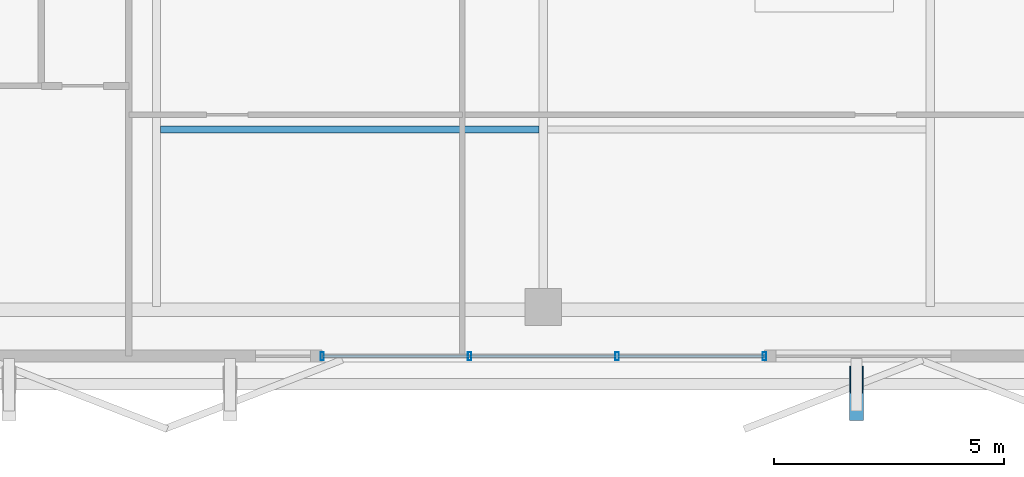
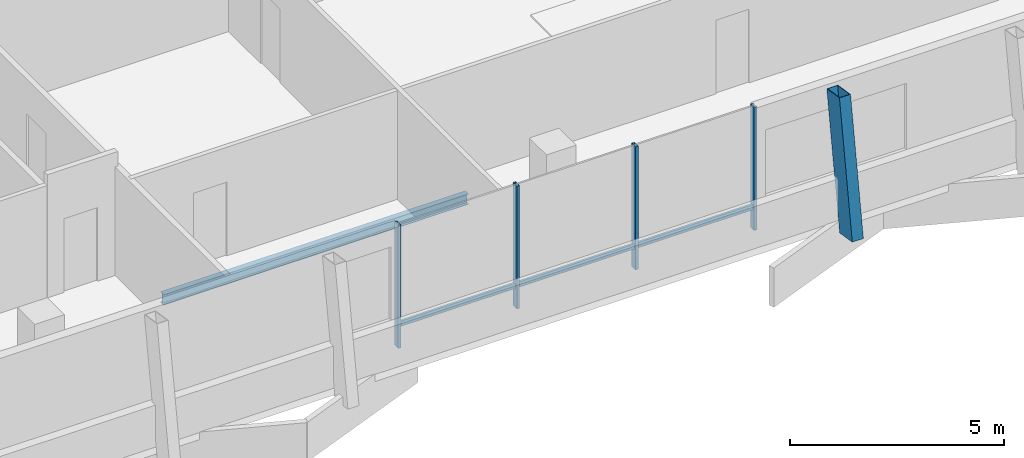
# One storey, part 2 of 17: 8 members, 1 beam, 1 element without a shape of its own.
"""IFC4 building model written with IfcOpenShell, lengths in metres."""

from ifc_helpers import new_model, si_unit, direction, frame, origin, origin_2d, place, context, subcontext, project, spatial, hollow_rectangle, i_section, extrude, material, layer, layer_set, material_profile, profile_set, type_object, element, aggregate, save


model = new_model("IFC4")

# Units and contexts
model_context = context("Model", 3, precision=1e-05, world=origin(), true_north=direction((0.0, 1.0)))
body_context = subcontext(model_context, "Body", "Model", "MODEL_VIEW")
ifc_project = project(units=[si_unit("LENGTHUNIT", "METRE"), si_unit("AREAUNIT", "SQUARE_METRE"), si_unit("VOLUMEUNIT", "CUBIC_METRE"), si_unit("PLANEANGLEUNIT", "RADIAN"), si_unit("MASSUNIT", "GRAM", prefix="KILO")], contexts=[model_context])

# Site, building, storey
site_placement = place(None, origin())
site = spatial("IfcSite", under=ifc_project, at=site_placement, CompositionType="ELEMENT")
building_placement = place(site_placement, origin())
building = spatial("IfcBuilding", under=site, at=building_placement, Name="Belovzor Exchange Tower", CompositionType="ELEMENT")
storey_placement = place(building_placement, frame((0.0, 0.0, 333.0)))
storey = spatial("IfcBuildingStorey", under=building, at=storey_placement, Name="L83", CompositionType="ELEMENT", Elevation=333.0)

# Beam
ifc_material_1 = material(Name="Steel S355", Category="steel")
ifc_material_profile_1 = material_profile(ifc_material_1, i_section(OverallWidth=0.14990234375, OverallDepth=0.300048828125, WebThickness=0.007080078125, FlangeThickness=0.0107421875, at=origin_2d()))
ifc_profile_set_1 = profile_set([ifc_material_profile_1], Name="Steel S355")
beam_type = type_object("IfcBeamType", Name="Secondary Trim Floor Joist IPE 300", PredefinedType="BEAM", material=ifc_profile_set_1)
beam_placement = place(storey_placement, frame((20.489990234375, 11.64892578125, -0.389892578125), z_axis=(1.0, 0.0, 0.0), x_axis=(0.0, 1.0, 0.0)))
element("IfcBeam", 1, at=beam_placement, inside=storey, type_object=beam_type, Name="FJ-300 Secondary Trim Floor Joist IPE 300", PredefinedType="BEAM", context=body_context, shape_type="SweptSolid", body=[
    extrude(i_section(OverallWidth=0.14990234375, OverallDepth=0.300048828125, WebThickness=0.007080078125, FlangeThickness=0.0107421875, at=origin_2d()), origin(), (0.0, 0.0, 1.0), 8.219970703125),
])

# Curtain wall, members
ifc_material_2 = material(Name="Anodised Aluminium Framing", Category="aluminium")
ifc_layer = layer(ifc_material_2, 0.179931640625)
ifc_layer_set = layer_set([ifc_layer], Name="Anodised Aluminium Framing")
curtain_wall_type = type_object("IfcCurtainWallType", Name="Recessed Loggia Low-Iron Triple-Glazed Curtain Wall", PredefinedType="NOTDEFINED", material=ifc_layer_set)
curtain_wall_placement = place(storey_placement, origin())
curtain_wall = element("IfcCurtainWall", 2, at=curtain_wall_placement, inside=storey, type_object=curtain_wall_type, Name="CW3 Recessed Loggia Low-Iron Triple-Glazed Curtain Wall L83", PredefinedType="NOTDEFINED")
ifc_material_3 = material(Name="Steel S355", Category="steel")
ifc_material_profile_2 = material_profile(ifc_material_3, hollow_rectangle(XDim=0.074951171875, YDim=0.179931640625, WallThickness=0.0048828125, at=origin_2d()))
ifc_profile_set_2 = profile_set([ifc_material_profile_2], Name="Steel S355")
member_type_1 = type_object("IfcMemberType", Name="Thermally Broken Curtain Wall Mullion 180x75", PredefinedType="MULLION", material=ifc_profile_set_2)
member_1_placement = place(storey_placement, frame((33.60009765625, 6.72998046875, 0.0), z_axis=(0.0, 0.0, 1.0), x_axis=(-1.0, 0.0, 0.0)))
member_1 = element("IfcMember", 3, at=member_1_placement, type_object=member_type_1, Name="CW-M180 Curtain Wall Mullion 1", PredefinedType="MULLION", context=body_context, shape_type="SweptSolid", body=[
    extrude(hollow_rectangle(XDim=0.074951171875, YDim=0.179931640625, WallThickness=0.0048828125, at=origin_2d()), origin(), (0.0, 0.0, 1.0), 3.510009765625),
])
member_2_placement = place(storey_placement, frame((30.39990234375, 6.72998046875, 0.0), z_axis=(0.0, 0.0, 1.0), x_axis=(-1.0, 0.0, 0.0)))
member_2 = element("IfcMember", 4, at=member_2_placement, type_object=member_type_1, Name="CW-M180 Curtain Wall Mullion 2", PredefinedType="MULLION", context=body_context, shape_type="SweptSolid", body=[
    extrude(hollow_rectangle(XDim=0.074951171875, YDim=0.179931640625, WallThickness=0.0048828125, at=origin_2d()), origin(), (0.0, 0.0, 1.0), 3.510009765625),
])
member_3_placement = place(storey_placement, frame((27.199951171875, 6.72998046875, 0.0), z_axis=(0.0, 0.0, 1.0), x_axis=(-1.0, 0.0, 0.0)))
member_3 = element("IfcMember", 5, at=member_3_placement, type_object=member_type_1, Name="CW-M180 Curtain Wall Mullion 3", PredefinedType="MULLION", context=body_context, shape_type="SweptSolid", body=[
    extrude(hollow_rectangle(XDim=0.074951171875, YDim=0.179931640625, WallThickness=0.0048828125, at=origin_2d()), origin(), (0.0, 0.0, 1.0), 3.510009765625),
])
member_4_placement = place(storey_placement, frame((24.0, 6.72998046875, 0.0), z_axis=(0.0, 0.0, 1.0), x_axis=(-1.0, 0.0, 0.0)))
member_4 = element("IfcMember", 6, at=member_4_placement, type_object=member_type_1, Name="CW-M180 Curtain Wall Mullion 4", PredefinedType="MULLION", context=body_context, shape_type="SweptSolid", body=[
    extrude(hollow_rectangle(XDim=0.074951171875, YDim=0.179931640625, WallThickness=0.0048828125, at=origin_2d()), origin(), (0.0, 0.0, 1.0), 3.510009765625),
])
ifc_material_4 = material(Name="Steel S355", Category="steel")
ifc_material_profile_3 = material_profile(ifc_material_4, hollow_rectangle(XDim=0.06005859375, YDim=0.14990234375, WallThickness=0.00390625, at=origin_2d()))
ifc_profile_set_3 = profile_set([ifc_material_profile_3], Name="Steel S355")
member_type_2 = type_object("IfcMemberType", Name="Thermally Broken Curtain Wall Transom 150x60", PredefinedType="USERDEFINED", material=ifc_profile_set_3)
member_5_placement = place(storey_placement, frame((33.592041015625, 6.72998046875, 0.632080078125), z_axis=(-1.0, 0.0, 0.0), x_axis=(0.0, -1.0, 0.0)))
member_5 = element("IfcMember", 7, at=member_5_placement, type_object=member_type_2, Name="CW-T150 Curtain Wall Transom 1", ObjectType="TRANSOM", PredefinedType="USERDEFINED", context=body_context, shape_type="SweptSolid", body=[
    extrude(hollow_rectangle(XDim=0.06005859375, YDim=0.14990234375, WallThickness=0.00390625, at=origin_2d()), origin(), (0.0, 0.0, 1.0), 3.18408203125),
])
member_6_placement = place(storey_placement, frame((30.39208984375, 6.72998046875, 0.632080078125), z_axis=(-1.0, 0.0, 0.0), x_axis=(0.0, -1.0, 0.0)))
member_6 = element("IfcMember", 8, at=member_6_placement, type_object=member_type_2, Name="CW-T150 Curtain Wall Transom 2", ObjectType="TRANSOM", PredefinedType="USERDEFINED", context=body_context, shape_type="SweptSolid", body=[
    extrude(hollow_rectangle(XDim=0.06005859375, YDim=0.14990234375, WallThickness=0.00390625, at=origin_2d()), origin(), (0.0, 0.0, 1.0), 3.18408203125),
])
member_7_placement = place(storey_placement, frame((27.19189453125, 6.72998046875, 0.632080078125), z_axis=(-1.0, 0.0, 0.0), x_axis=(0.0, -1.0, 0.0)))
member_7 = element("IfcMember", 9, at=member_7_placement, type_object=member_type_2, Name="CW-T150 Curtain Wall Transom 3", ObjectType="TRANSOM", PredefinedType="USERDEFINED", context=body_context, shape_type="SweptSolid", body=[
    extrude(hollow_rectangle(XDim=0.06005859375, YDim=0.14990234375, WallThickness=0.00390625, at=origin_2d()), origin(), (0.0, 0.0, 1.0), 3.183837890625),
])
aggregate(curtain_wall, [member_1, member_2, member_3, member_4, member_5, member_6, member_7])

# Member
ifc_material_5 = material(Name="Extruded Architectural Terracotta on Steel S355 Carrier", Category="masonry")
ifc_material_profile_4 = material_profile(ifc_material_5, hollow_rectangle(XDim=0.300048828125, YDim=0.60009765625, WallThickness=0.01611328125, at=origin_2d()))
ifc_profile_set_4 = profile_set([ifc_material_profile_4], Name="Extruded Architectural Terracotta on Steel S355 Carrier")
member_type_3 = type_object("IfcMemberType", Name="Upper Crown Terracotta Fin Assembly 550", PredefinedType="USERDEFINED", material=ifc_profile_set_4)
member_8_placement = place(storey_placement, frame((35.60009765625, 5.625, -0.239990234375), z_axis=(0.0, 0.158015573692, 0.987436619977), x_axis=(-1.0, 0.0, 0.0)))
element("IfcMember", 10, at=member_8_placement, inside=storey, type_object=member_type_3, Name="FIN-TC055 Terracotta Facade Fin L83 S3", ObjectType="FIN", PredefinedType="USERDEFINED", context=body_context, shape_type="SweptSolid", body=[
    extrude(hollow_rectangle(XDim=0.300048828125, YDim=0.60009765625, WallThickness=0.01611328125, at=origin_2d()), origin(), (0.0, 0.0, 1.0), 3.797607421875),
])

save(model, "model.ifc")
